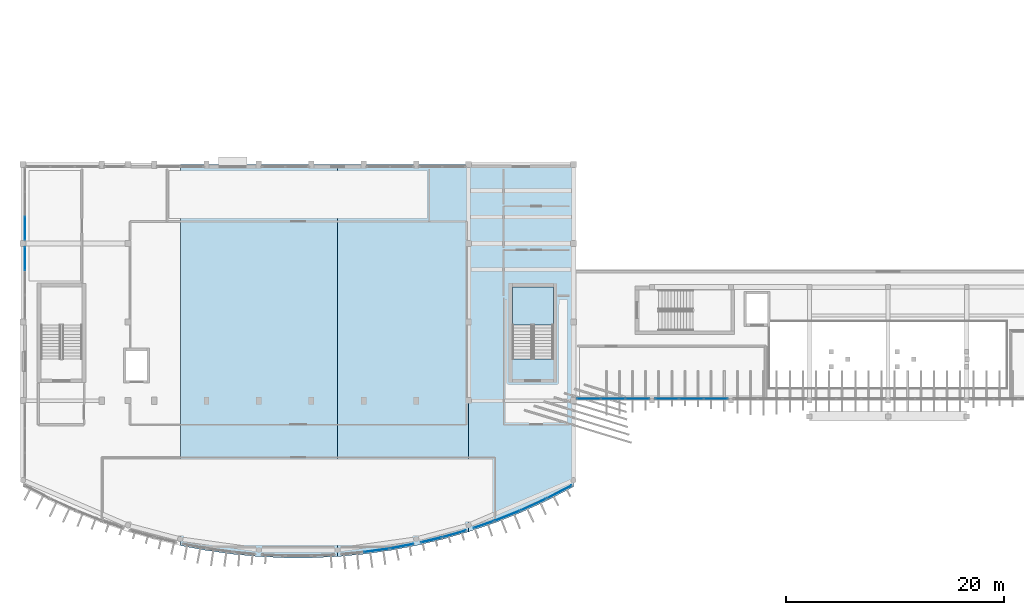
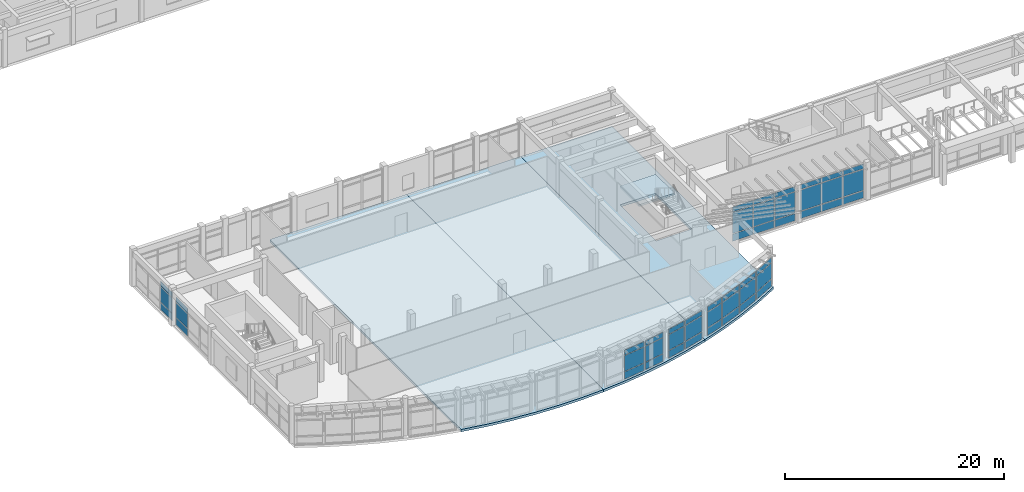
# One storey, part 29 of 60: 48 plates, 4 slabs, 13 elements without a shape of their own.
"""IFC4 building model written with IfcOpenShell, lengths in metres."""

from ifc_helpers import new_model, si_unit, direction, frame, origin, origin_2d, place, context, subcontext, project, spatial, polyline, rectangle, outline, extrude, material, layer, layer_set, type_object, element, aggregate, save


model = new_model("IFC4")

# Units and contexts
model_context = context("Model", 3, precision=1e-05, world=origin(), true_north=direction((0.0, 1.0)))
body_context = subcontext(model_context, "Body", "Model", "MODEL_VIEW")
ifc_project = project(units=[si_unit("LENGTHUNIT", "METRE"), si_unit("AREAUNIT", "SQUARE_METRE"), si_unit("VOLUMEUNIT", "CUBIC_METRE"), si_unit("PLANEANGLEUNIT", "RADIAN"), si_unit("MASSUNIT", "GRAM", prefix="KILO")], contexts=[model_context])

# Site, building, storey
site_placement = place(None, origin())
site = spatial("IfcSite", under=ifc_project, at=site_placement, CompositionType="ELEMENT")
building_placement = place(site_placement, origin())
building = spatial("IfcBuilding", under=site, at=building_placement, Name="Brisavento Harbour Community Centre", CompositionType="ELEMENT")
storey_placement = place(building_placement, frame((0.0, 0.0, 4.5)))
storey = spatial("IfcBuildingStorey", under=building, at=storey_placement, Name="L01", CompositionType="ELEMENT", Elevation=4.5)

# Curtain wall, plates
ifc_material_1 = material(Name="Marine-anodised aluminium AW-6063-T6", Category="aluminium")
ifc_layer_1 = layer(ifc_material_1, 0.179931640625, Name="Marine-anodised aluminium AW-6063-T6")
ifc_layer_set_1 = layer_set([ifc_layer_1], Name="Marine-anodised aluminium AW-6063-T6")
curtain_wall_type_1 = type_object("IfcCurtainWallType", Name="CW-SYS-08", PredefinedType="USERDEFINED", material=ifc_layer_set_1)
curtain_wall_1_placement = place(storey_placement, origin())
curtain_wall_1 = element("IfcCurtainWall", 1, at=curtain_wall_1_placement, inside=storey, type_object=curtain_wall_type_1, Name="L01 V1 unitised curtain wall 036", ObjectType="UNITISED CURTAIN WALL", PredefinedType="USERDEFINED")
ifc_material_2 = material(Name="Solar-control laminated low-E glass", Category="glass")
ifc_layer_2 = layer(ifc_material_2, 0.02392578125, Name="Solar-control laminated low-E glass")
ifc_layer_set_2 = layer_set([ifc_layer_2], Name="Solar-control laminated low-E glass")
plate_type_1 = type_object("IfcPlateType", Name="CWP-GLZ-1", PredefinedType="CURTAIN_PANEL", material=ifc_layer_set_2)
plate_1_placement = place(storey_placement, frame((39.4970703125, 2.206787109375, 0.080078125), z_axis=(0.0, 0.0, 1.0), x_axis=(-0.960866482785, -0.277011917183, 0.0)))
plate_1 = element("IfcPlate", 2, at=plate_1_placement, type_object=plate_type_1, Name="CW-08 panel 1.1", PredefinedType="CURTAIN_PANEL", context=body_context, shape_type="SweptSolid", body=[
    extrude(rectangle(XDim=2.19140625, YDim=0.02392578125, at=origin_2d()), origin(), (0.0, 0.0, 1.0), 0.780029296875),
])
plate_2_placement = place(storey_placement, frame((39.4970703125, 2.206787109375, 0.93994140625), z_axis=(0.0, 0.0, 1.0), x_axis=(-0.960866482785, -0.277011917183, 0.0)))
plate_2 = element("IfcPlate", 3, at=plate_2_placement, type_object=plate_type_1, Name="CW-08 panel 1.2", PredefinedType="CURTAIN_PANEL", context=body_context, shape_type="SweptSolid", body=[
    extrude(rectangle(XDim=2.19140625, YDim=0.02392578125, at=origin_2d()), origin(), (0.0, 0.0, 1.0), 1.719970703125),
])
plate_3_placement = place(storey_placement, frame((39.4970703125, 2.206787109375, 2.73974609375), z_axis=(0.0, 0.0, 1.0), x_axis=(-0.960866482785, -0.277011917183, 0.0)))
plate_3 = element("IfcPlate", 4, at=plate_3_placement, type_object=plate_type_1, Name="CW-08 panel 1.3", PredefinedType="CURTAIN_PANEL", context=body_context, shape_type="SweptSolid", body=[
    extrude(rectangle(XDim=2.19140625, YDim=0.02392578125, at=origin_2d()), origin(), (0.0, 0.0, 1.0), 0.530029296875),
])
aggregate(curtain_wall_1, [plate_1, plate_2, plate_3])

ifc_layer_3 = layer(ifc_material_1, 0.179931640625, Name="Marine-anodised aluminium AW-6063-T6")
ifc_layer_set_3 = layer_set([ifc_layer_3], Name="Marine-anodised aluminium AW-6063-T6")
curtain_wall_type_2 = type_object("IfcCurtainWallType", Name="CW-SYS-28", PredefinedType="USERDEFINED", material=ifc_layer_set_3)
curtain_wall_2_placement = place(storey_placement, origin())
curtain_wall_2 = element("IfcCurtainWall", 5, at=curtain_wall_2_placement, inside=storey, type_object=curtain_wall_type_2, Name="L01 V2 unitised curtain wall 056", ObjectType="UNITISED CURTAIN WALL", PredefinedType="USERDEFINED")
plate_4_placement = place(storey_placement, frame((63.43994140625, 14.580078125, 0.080078125), z_axis=(0.0, 0.0, 1.0), x_axis=(-1.0, 0.0, 0.0)))
plate_4 = element("IfcPlate", 6, at=plate_4_placement, type_object=plate_type_1, Name="CW-28 panel 1.1", PredefinedType="CURTAIN_PANEL", context=body_context, shape_type="SweptSolid", body=[
    extrude(rectangle(XDim=2.139892578125, YDim=0.02392578125, at=origin_2d()), origin(), (0.0, 0.0, 1.0), 0.780029296875),
])
plate_5_placement = place(storey_placement, frame((63.43994140625, 14.580078125, 0.93994140625), z_axis=(0.0, 0.0, 1.0), x_axis=(-1.0, 0.0, 0.0)))
plate_5 = element("IfcPlate", 7, at=plate_5_placement, type_object=plate_type_1, Name="CW-28 panel 1.2", PredefinedType="CURTAIN_PANEL", context=body_context, shape_type="SweptSolid", body=[
    extrude(rectangle(XDim=2.139892578125, YDim=0.02392578125, at=origin_2d()), origin(), (0.0, 0.0, 1.0), 2.320068359375),
])
plate_6_placement = place(storey_placement, frame((63.43994140625, 14.580078125, 3.33984375), z_axis=(0.0, 0.0, 1.0), x_axis=(-1.0, 0.0, 0.0)))
plate_6 = element("IfcPlate", 8, at=plate_6_placement, type_object=plate_type_1, Name="CW-28 panel 1.3", PredefinedType="CURTAIN_PANEL", context=body_context, shape_type="SweptSolid", body=[
    extrude(rectangle(XDim=2.139892578125, YDim=0.02392578125, at=origin_2d()), origin(), (0.0, 0.0, 1.0), 0.530029296875),
])
plate_7_placement = place(storey_placement, frame((61.199951171875, 14.580078125, 0.080078125), z_axis=(0.0, 0.0, 1.0), x_axis=(-1.0, 0.0, 0.0)))
plate_7 = element("IfcPlate", 9, at=plate_7_placement, type_object=plate_type_1, Name="CW-28 panel 2.1", PredefinedType="CURTAIN_PANEL", context=body_context, shape_type="SweptSolid", body=[
    extrude(rectangle(XDim=2.179931640625, YDim=0.02392578125, at=origin_2d()), origin(), (0.0, 0.0, 1.0), 0.780029296875),
])
plate_8_placement = place(storey_placement, frame((61.199951171875, 14.580078125, 0.93994140625), z_axis=(0.0, 0.0, 1.0), x_axis=(-1.0, 0.0, 0.0)))
plate_8 = element("IfcPlate", 10, at=plate_8_placement, type_object=plate_type_1, Name="CW-28 panel 2.2", PredefinedType="CURTAIN_PANEL", context=body_context, shape_type="SweptSolid", body=[
    extrude(rectangle(XDim=2.179931640625, YDim=0.02392578125, at=origin_2d()), origin(), (0.0, 0.0, 1.0), 2.320068359375),
])
plate_9_placement = place(storey_placement, frame((61.199951171875, 14.580078125, 3.33984375), z_axis=(0.0, 0.0, 1.0), x_axis=(-1.0, 0.0, 0.0)))
plate_9 = element("IfcPlate", 11, at=plate_9_placement, type_object=plate_type_1, Name="CW-28 panel 2.3", PredefinedType="CURTAIN_PANEL", context=body_context, shape_type="SweptSolid", body=[
    extrude(rectangle(XDim=2.179931640625, YDim=0.02392578125, at=origin_2d()), origin(), (0.0, 0.0, 1.0), 0.530029296875),
])
plate_10_placement = place(storey_placement, frame((58.9599609375, 14.580078125, 0.080078125), z_axis=(0.0, 0.0, 1.0), x_axis=(-1.0, 0.0, 0.0)))
plate_10 = element("IfcPlate", 12, at=plate_10_placement, type_object=plate_type_1, Name="CW-28 panel 3.1", PredefinedType="CURTAIN_PANEL", context=body_context, shape_type="SweptSolid", body=[
    extrude(rectangle(XDim=2.139892578125, YDim=0.02392578125, at=origin_2d()), origin(), (0.0, 0.0, 1.0), 0.780029296875),
])
plate_11_placement = place(storey_placement, frame((58.9599609375, 14.580078125, 0.93994140625), z_axis=(0.0, 0.0, 1.0), x_axis=(-1.0, 0.0, 0.0)))
plate_11 = element("IfcPlate", 13, at=plate_11_placement, type_object=plate_type_1, Name="CW-28 panel 3.2", PredefinedType="CURTAIN_PANEL", context=body_context, shape_type="SweptSolid", body=[
    extrude(rectangle(XDim=2.139892578125, YDim=0.02392578125, at=origin_2d()), origin(), (0.0, 0.0, 1.0), 2.320068359375),
])
plate_12_placement = place(storey_placement, frame((58.9599609375, 14.580078125, 3.33984375), z_axis=(0.0, 0.0, 1.0), x_axis=(-1.0, 0.0, 0.0)))
plate_12 = element("IfcPlate", 14, at=plate_12_placement, type_object=plate_type_1, Name="CW-28 panel 3.3", PredefinedType="CURTAIN_PANEL", context=body_context, shape_type="SweptSolid", body=[
    extrude(rectangle(XDim=2.139892578125, YDim=0.02392578125, at=origin_2d()), origin(), (0.0, 0.0, 1.0), 0.530029296875),
])
aggregate(curtain_wall_2, [plate_4, plate_5, plate_6, plate_7, plate_8, plate_9, plate_10, plate_11, plate_12])

ifc_layer_4 = layer(ifc_material_1, 0.179931640625, Name="Marine-anodised aluminium AW-6063-T6")
ifc_layer_set_4 = layer_set([ifc_layer_4], Name="Marine-anodised aluminium AW-6063-T6")
curtain_wall_type_3 = type_object("IfcCurtainWallType", Name="CW-SYS-09", PredefinedType="USERDEFINED", material=ifc_layer_set_4)
curtain_wall_3_placement = place(storey_placement, origin())
curtain_wall_3 = element("IfcCurtainWall", 15, at=curtain_wall_3_placement, inside=storey, type_object=curtain_wall_type_3, Name="L01 V1 unitised curtain wall 037", ObjectType="UNITISED CURTAIN WALL", PredefinedType="USERDEFINED")
ifc_layer_5 = layer(ifc_material_2, 0.028076171875, Name="Solar-control laminated low-E glass")
ifc_layer_set_5 = layer_set([ifc_layer_5], Name="Solar-control laminated low-E glass")
plate_type_2 = type_object("IfcPlateType", Name="CWP-GLZ-2", PredefinedType="CURTAIN_PANEL", material=ifc_layer_set_5)
plate_13_placement = place(storey_placement, frame((42.168212890625, 3.052490234375, 0.06494140625), z_axis=(0.0, 0.0, 1.0), x_axis=(-0.946338050136, -0.323178425743, 0.0)))
plate_13 = element("IfcPlate", 16, at=plate_13_placement, type_object=plate_type_2, Name="CW-09 panel 1.1", PredefinedType="CURTAIN_PANEL", context=body_context, shape_type="SweptSolid", body=[
    extrude(rectangle(XDim=1.891845703125, YDim=0.028076171875, at=origin_2d()), origin(), (0.0, 0.0, 1.0), 0.802490234375),
])
plate_14_placement = place(storey_placement, frame((42.168212890625, 3.052490234375, 0.9326171875), z_axis=(0.0, 0.0, 1.0), x_axis=(-0.946338050136, -0.323178425743, 0.0)))
plate_14 = element("IfcPlate", 17, at=plate_14_placement, type_object=plate_type_2, Name="CW-09 panel 1.2", PredefinedType="CURTAIN_PANEL", context=body_context, shape_type="SweptSolid", body=[
    extrude(rectangle(XDim=1.891845703125, YDim=0.028076171875, at=origin_2d()), origin(), (0.0, 0.0, 1.0), 1.735107421875),
])
plate_15_placement = place(storey_placement, frame((42.168212890625, 3.052490234375, 2.732421875), z_axis=(0.0, 0.0, 1.0), x_axis=(-0.946338050136, -0.323178425743, 0.0)))
plate_15 = element("IfcPlate", 18, at=plate_15_placement, type_object=plate_type_2, Name="CW-09 panel 1.3", PredefinedType="CURTAIN_PANEL", context=body_context, shape_type="SweptSolid", body=[
    extrude(rectangle(XDim=1.891845703125, YDim=0.028076171875, at=origin_2d()), origin(), (0.0, 0.0, 1.0), 0.552490234375),
])
aggregate(curtain_wall_3, [plate_13, plate_14, plate_15])

ifc_layer_6 = layer(ifc_material_1, 0.179931640625, Name="Marine-anodised aluminium AW-6063-T6")
ifc_layer_set_6 = layer_set([ifc_layer_6], Name="Marine-anodised aluminium AW-6063-T6")
curtain_wall_type_4 = type_object("IfcCurtainWallType", Name="CW-SYS-01", PredefinedType="USERDEFINED", material=ifc_layer_set_6)
curtain_wall_4_placement = place(storey_placement, origin())
curtain_wall_4 = element("IfcCurtainWall", 19, at=curtain_wall_4_placement, inside=storey, type_object=curtain_wall_type_4, Name="L01 V2 unitised curtain wall 057", ObjectType="UNITISED CURTAIN WALL", PredefinedType="USERDEFINED")
plate_16_placement = place(storey_placement, frame((56.252197265625, 14.580078125, 0.06494140625), z_axis=(0.0, 0.0, 1.0), x_axis=(-1.0, 0.0, 0.0)))
plate_16 = element("IfcPlate", 20, at=plate_16_placement, type_object=plate_type_2, Name="CW-01 panel 1.1", PredefinedType="CURTAIN_PANEL", context=body_context, shape_type="SweptSolid", body=[
    extrude(rectangle(XDim=2.145751953125, YDim=0.028076171875, at=origin_2d()), origin(), (0.0, 0.0, 1.0), 0.802490234375),
])
plate_17_placement = place(storey_placement, frame((56.252197265625, 14.580078125, 0.9326171875), z_axis=(0.0, 0.0, 1.0), x_axis=(-1.0, 0.0, 0.0)))
plate_17 = element("IfcPlate", 21, at=plate_17_placement, type_object=plate_type_2, Name="CW-01 panel 1.2", PredefinedType="CURTAIN_PANEL", context=body_context, shape_type="SweptSolid", body=[
    extrude(rectangle(XDim=2.145751953125, YDim=0.028076171875, at=origin_2d()), origin(), (0.0, 0.0, 1.0), 2.3349609375),
])
plate_18_placement = place(storey_placement, frame((56.252197265625, 14.580078125, 3.33251953125), z_axis=(0.0, 0.0, 1.0), x_axis=(-1.0, 0.0, 0.0)))
plate_18 = element("IfcPlate", 22, at=plate_18_placement, type_object=plate_type_2, Name="CW-01 panel 1.3", PredefinedType="CURTAIN_PANEL", context=body_context, shape_type="SweptSolid", body=[
    extrude(rectangle(XDim=2.145751953125, YDim=0.028076171875, at=origin_2d()), origin(), (0.0, 0.0, 1.0), 0.552490234375),
])
plate_19_placement = place(storey_placement, frame((54.02490234375, 14.580078125, 0.06494140625), z_axis=(0.0, 0.0, 1.0), x_axis=(-1.0, 0.0, 0.0)))
plate_19 = element("IfcPlate", 23, at=plate_19_placement, type_object=plate_type_2, Name="CW-01 panel 2.1", PredefinedType="CURTAIN_PANEL", context=body_context, shape_type="SweptSolid", body=[
    extrude(rectangle(XDim=2.17822265625, YDim=0.028076171875, at=origin_2d()), origin(), (0.0, 0.0, 1.0), 0.802490234375),
])
plate_20_placement = place(storey_placement, frame((54.02490234375, 14.580078125, 0.9326171875), z_axis=(0.0, 0.0, 1.0), x_axis=(-1.0, 0.0, 0.0)))
plate_20 = element("IfcPlate", 24, at=plate_20_placement, type_object=plate_type_2, Name="CW-01 panel 2.2", PredefinedType="CURTAIN_PANEL", context=body_context, shape_type="SweptSolid", body=[
    extrude(rectangle(XDim=2.17822265625, YDim=0.028076171875, at=origin_2d()), origin(), (0.0, 0.0, 1.0), 2.3349609375),
])
plate_21_placement = place(storey_placement, frame((54.02490234375, 14.580078125, 3.33251953125), z_axis=(0.0, 0.0, 1.0), x_axis=(-1.0, 0.0, 0.0)))
plate_21 = element("IfcPlate", 25, at=plate_21_placement, type_object=plate_type_2, Name="CW-01 panel 2.3", PredefinedType="CURTAIN_PANEL", context=body_context, shape_type="SweptSolid", body=[
    extrude(rectangle(XDim=2.17822265625, YDim=0.028076171875, at=origin_2d()), origin(), (0.0, 0.0, 1.0), 0.552490234375),
])
plate_22_placement = place(storey_placement, frame((51.7978515625, 14.580078125, 0.06494140625), z_axis=(0.0, 0.0, 1.0), x_axis=(-1.0, 0.0, 0.0)))
plate_22 = element("IfcPlate", 26, at=plate_22_placement, type_object=plate_type_2, Name="CW-01 panel 3.1", PredefinedType="CURTAIN_PANEL", context=body_context, shape_type="SweptSolid", body=[
    extrude(rectangle(XDim=2.145751953125, YDim=0.028076171875, at=origin_2d()), origin(), (0.0, 0.0, 1.0), 0.802490234375),
])
plate_23_placement = place(storey_placement, frame((51.7978515625, 14.580078125, 0.9326171875), z_axis=(0.0, 0.0, 1.0), x_axis=(-1.0, 0.0, 0.0)))
plate_23 = element("IfcPlate", 27, at=plate_23_placement, type_object=plate_type_2, Name="CW-01 panel 3.2", PredefinedType="CURTAIN_PANEL", context=body_context, shape_type="SweptSolid", body=[
    extrude(rectangle(XDim=2.145751953125, YDim=0.028076171875, at=origin_2d()), origin(), (0.0, 0.0, 1.0), 2.3349609375),
])
plate_24_placement = place(storey_placement, frame((51.7978515625, 14.580078125, 3.33251953125), z_axis=(0.0, 0.0, 1.0), x_axis=(-1.0, 0.0, 0.0)))
plate_24 = element("IfcPlate", 28, at=plate_24_placement, type_object=plate_type_2, Name="CW-01 panel 3.3", PredefinedType="CURTAIN_PANEL", context=body_context, shape_type="SweptSolid", body=[
    extrude(rectangle(XDim=2.145751953125, YDim=0.028076171875, at=origin_2d()), origin(), (0.0, 0.0, 1.0), 0.552490234375),
])
aggregate(curtain_wall_4, [plate_16, plate_17, plate_18, plate_19, plate_20, plate_21, plate_22, plate_23, plate_24])

ifc_layer_7 = layer(ifc_material_1, 0.179931640625, Name="Marine-anodised aluminium AW-6063-T6")
ifc_layer_set_7 = layer_set([ifc_layer_7], Name="Marine-anodised aluminium AW-6063-T6")
curtain_wall_type_5 = type_object("IfcCurtainWallType", Name="CW-SYS-05", PredefinedType="USERDEFINED", material=ifc_layer_set_7)
curtain_wall_5_placement = place(storey_placement, origin())
curtain_wall_5 = element("IfcCurtainWall", 29, at=curtain_wall_5_placement, inside=storey, type_object=curtain_wall_type_5, Name="L01 V1 unitised curtain wall 033", ObjectType="UNITISED CURTAIN WALL", PredefinedType="USERDEFINED")
ifc_layer_8 = layer(ifc_material_2, 0.031982421875, Name="Solar-control laminated low-E glass")
ifc_layer_set_8 = layer_set([ifc_layer_8], Name="Solar-control laminated low-E glass")
plate_type_3 = type_object("IfcPlateType", Name="CWP-GLZ-3", PredefinedType="CURTAIN_PANEL", material=ifc_layer_set_8)
plate_25_placement = place(storey_placement, frame((32.375, 0.693359375, 0.06494140625), z_axis=(0.0, 0.0, 1.0), x_axis=(-0.990365657711, -0.138476944024, 0.0)))
plate_25 = element("IfcPlate", 30, at=plate_25_placement, type_object=plate_type_3, Name="CW-05 panel 1.1", PredefinedType="CURTAIN_PANEL", context=body_context, shape_type="SweptSolid", body=[
    extrude(rectangle(XDim=2.25732421875, YDim=0.031982421875, at=origin_2d()), origin(), (0.0, 0.0, 1.0), 0.802490234375),
])
plate_26_placement = place(storey_placement, frame((32.375, 0.693359375, 0.9326171875), z_axis=(0.0, 0.0, 1.0), x_axis=(-0.990365657711, -0.138476944024, 0.0)))
plate_26 = element("IfcPlate", 31, at=plate_26_placement, type_object=plate_type_3, Name="CW-05 panel 1.2", PredefinedType="CURTAIN_PANEL", context=body_context, shape_type="SweptSolid", body=[
    extrude(rectangle(XDim=2.25732421875, YDim=0.031982421875, at=origin_2d()), origin(), (0.0, 0.0, 1.0), 1.735107421875),
])
plate_27_placement = place(storey_placement, frame((32.375, 0.693359375, 2.732421875), z_axis=(0.0, 0.0, 1.0), x_axis=(-0.990365657711, -0.138476944024, 0.0)))
plate_27 = element("IfcPlate", 32, at=plate_27_placement, type_object=plate_type_3, Name="CW-05 panel 1.3", PredefinedType="CURTAIN_PANEL", context=body_context, shape_type="SweptSolid", body=[
    extrude(rectangle(XDim=2.25732421875, YDim=0.031982421875, at=origin_2d()), origin(), (0.0, 0.0, 1.0), 0.552490234375),
])
aggregate(curtain_wall_5, [plate_25, plate_26, plate_27])

ifc_layer_9 = layer(ifc_material_1, 0.179931640625, Name="Marine-anodised aluminium AW-6063-T6")
ifc_layer_set_9 = layer_set([ifc_layer_9], Name="Marine-anodised aluminium AW-6063-T6")
curtain_wall_type_6 = type_object("IfcCurtainWallType", Name="CW-SYS-10", PredefinedType="USERDEFINED", material=ifc_layer_set_9)
curtain_wall_6_placement = place(storey_placement, origin())
curtain_wall_6 = element("IfcCurtainWall", 33, at=curtain_wall_6_placement, inside=storey, type_object=curtain_wall_type_6, Name="L01 V1 unitised curtain wall 038", ObjectType="UNITISED CURTAIN WALL", PredefinedType="USERDEFINED")
plate_28_placement = place(storey_placement, frame((44.33349609375, 3.85888671875, 0.070068359375), z_axis=(0.0, 0.0, 1.0), x_axis=(-0.929278798027, -0.369379094613, 0.0)))
plate_28 = element("IfcPlate", 34, at=plate_28_placement, type_object=plate_type_3, Name="CW-10 panel 1.1", PredefinedType="CURTAIN_PANEL", context=body_context, shape_type="SweptSolid", body=[
    extrude(rectangle(XDim=2.40673828125, YDim=0.031982421875, at=origin_2d()), origin(), (0.0, 0.0, 1.0), 0.794921875),
])
plate_29_placement = place(storey_placement, frame((44.33349609375, 3.85888671875, 0.93505859375), z_axis=(0.0, 0.0, 1.0), x_axis=(-0.929278798027, -0.369379094613, 0.0)))
plate_29 = element("IfcPlate", 35, at=plate_29_placement, type_object=plate_type_3, Name="CW-10 panel 1.2", PredefinedType="CURTAIN_PANEL", context=body_context, shape_type="SweptSolid", body=[
    extrude(rectangle(XDim=2.40673828125, YDim=0.031982421875, at=origin_2d()), origin(), (0.0, 0.0, 1.0), 1.72998046875),
])
plate_30_placement = place(storey_placement, frame((44.33349609375, 3.85888671875, 2.735107421875), z_axis=(0.0, 0.0, 1.0), x_axis=(-0.929278798027, -0.369379094613, 0.0)))
plate_30 = element("IfcPlate", 36, at=plate_30_placement, type_object=plate_type_3, Name="CW-10 panel 1.3", PredefinedType="CURTAIN_PANEL", context=body_context, shape_type="SweptSolid", body=[
    extrude(rectangle(XDim=2.40673828125, YDim=0.031982421875, at=origin_2d()), origin(), (0.0, 0.0, 1.0), 0.544921875),
])
aggregate(curtain_wall_6, [plate_28, plate_29, plate_30])

ifc_layer_10 = layer(ifc_material_1, 0.179931640625, Name="Marine-anodised aluminium AW-6063-T6")
ifc_layer_set_10 = layer_set([ifc_layer_10], Name="Marine-anodised aluminium AW-6063-T6")
curtain_wall_type_7 = type_object("IfcCurtainWallType", Name="CW-SYS-20", PredefinedType="USERDEFINED", material=ifc_layer_set_10)
curtain_wall_7_placement = place(storey_placement, origin())
curtain_wall_7 = element("IfcCurtainWall", 37, at=curtain_wall_7_placement, inside=storey, type_object=curtain_wall_type_7, Name="L01 V1 unitised curtain wall 048", ObjectType="UNITISED CURTAIN WALL", PredefinedType="USERDEFINED")
plate_31_placement = place(storey_placement, frame((0.179931640625, 27.40673828125, 0.080078125), z_axis=(0.0, 0.0, 1.0), x_axis=(0.0, 1.0, 0.0)))
plate_31 = element("IfcPlate", 38, at=plate_31_placement, type_object=plate_type_3, Name="CW-20 panel 3.1", PredefinedType="CURTAIN_PANEL", context=body_context, shape_type="SweptSolid", body=[
    extrude(rectangle(XDim=2.106689453125, YDim=0.031982421875, at=origin_2d()), origin(), (0.0, 0.0, 1.0), 0.780029296875),
])
plate_32_placement = place(storey_placement, frame((0.179931640625, 27.40673828125, 0.93994140625), z_axis=(0.0, 0.0, 1.0), x_axis=(0.0, 1.0, 0.0)))
plate_32 = element("IfcPlate", 39, at=plate_32_placement, type_object=plate_type_3, Name="CW-20 panel 3.2", PredefinedType="CURTAIN_PANEL", context=body_context, shape_type="SweptSolid", body=[
    extrude(rectangle(XDim=2.106689453125, YDim=0.031982421875, at=origin_2d()), origin(), (0.0, 0.0, 1.0), 1.6201171875),
])
plate_33_placement = place(storey_placement, frame((0.179931640625, 27.40673828125, 2.64013671875), z_axis=(0.0, 0.0, 1.0), x_axis=(0.0, 1.0, 0.0)))
plate_33 = element("IfcPlate", 40, at=plate_33_placement, type_object=plate_type_3, Name="CW-20 panel 3.3", PredefinedType="CURTAIN_PANEL", context=body_context, shape_type="SweptSolid", body=[
    extrude(rectangle(XDim=2.106689453125, YDim=0.031982421875, at=origin_2d()), origin(), (0.0, 0.0, 1.0), 0.530029296875),
])
aggregate(curtain_wall_7, [plate_31, plate_32, plate_33])

ifc_layer_11 = layer(ifc_material_1, 0.179931640625, Name="Marine-anodised aluminium AW-6063-T6")
ifc_layer_set_11 = layer_set([ifc_layer_11], Name="Marine-anodised aluminium AW-6063-T6")
curtain_wall_type_8 = type_object("IfcCurtainWallType", Name="CW-SYS-06", PredefinedType="USERDEFINED", material=ifc_layer_set_11)
curtain_wall_8_placement = place(storey_placement, origin())
curtain_wall_8 = element("IfcCurtainWall", 41, at=curtain_wall_8_placement, inside=storey, type_object=curtain_wall_type_8, Name="L01 V1 unitised curtain wall 034", ObjectType="UNITISED CURTAIN WALL", PredefinedType="USERDEFINED")
ifc_layer_12 = layer(ifc_material_2, 0.035888671875, Name="Solar-control laminated low-E glass")
ifc_layer_set_12 = layer_set([ifc_layer_12], Name="Solar-control laminated low-E glass")
plate_type_4 = type_object("IfcPlateType", Name="CWP-GLZ-4", PredefinedType="CURTAIN_PANEL", material=ifc_layer_set_12)
plate_34_placement = place(storey_placement, frame((34.694091796875, 1.07177734375, 0.070068359375), z_axis=(0.0, 0.0, 1.0), x_axis=(-0.982796895513, -0.184689637418, 0.0)))
plate_34 = element("IfcPlate", 42, at=plate_34_placement, type_object=plate_type_4, Name="CW-06 panel 1.1", PredefinedType="CURTAIN_PANEL", context=body_context, shape_type="SweptSolid", body=[
    extrude(rectangle(XDim=2.117919921875, YDim=0.035888671875, at=origin_2d()), origin(), (0.0, 0.0, 1.0), 0.794921875),
])
plate_35_placement = place(storey_placement, frame((34.694091796875, 1.07177734375, 0.93505859375), z_axis=(0.0, 0.0, 1.0), x_axis=(-0.982796895513, -0.184689637418, 0.0)))
plate_35 = element("IfcPlate", 43, at=plate_35_placement, type_object=plate_type_4, Name="CW-06 panel 1.2", PredefinedType="CURTAIN_PANEL", context=body_context, shape_type="SweptSolid", body=[
    extrude(rectangle(XDim=2.117919921875, YDim=0.035888671875, at=origin_2d()), origin(), (0.0, 0.0, 1.0), 1.72998046875),
])
plate_36_placement = place(storey_placement, frame((34.694091796875, 1.07177734375, 2.735107421875), z_axis=(0.0, 0.0, 1.0), x_axis=(-0.982796895513, -0.184689637418, 0.0)))
plate_36 = element("IfcPlate", 44, at=plate_36_placement, type_object=plate_type_4, Name="CW-06 panel 1.3", PredefinedType="CURTAIN_PANEL", context=body_context, shape_type="SweptSolid", body=[
    extrude(rectangle(XDim=2.117919921875, YDim=0.035888671875, at=origin_2d()), origin(), (0.0, 0.0, 1.0), 0.544921875),
])
aggregate(curtain_wall_8, [plate_34, plate_35, plate_36])

ifc_layer_13 = layer(ifc_material_1, 0.179931640625, Name="Marine-anodised aluminium AW-6063-T6")
ifc_layer_set_13 = layer_set([ifc_layer_13], Name="Marine-anodised aluminium AW-6063-T6")
curtain_wall_type_9 = type_object("IfcCurtainWallType", Name="CW-SYS-11", PredefinedType="USERDEFINED", material=ifc_layer_set_13)
curtain_wall_9_placement = place(storey_placement, origin())
curtain_wall_9 = element("IfcCurtainWall", 45, at=curtain_wall_9_placement, inside=storey, type_object=curtain_wall_type_9, Name="L01 V1 unitised curtain wall 039", ObjectType="UNITISED CURTAIN WALL", PredefinedType="USERDEFINED")
plate_37_placement = place(storey_placement, frame((46.72509765625, 4.880615234375, 0.074951171875), z_axis=(0.0, 0.0, 1.0), x_axis=(-0.909597727846, -0.415490040189, 0.0)))
plate_37 = element("IfcPlate", 46, at=plate_37_placement, type_object=plate_type_4, Name="CW-11 panel 1.1", PredefinedType="CURTAIN_PANEL", context=body_context, shape_type="SweptSolid", body=[
    extrude(rectangle(XDim=2.452392578125, YDim=0.035888671875, at=origin_2d()), origin(), (0.0, 0.0, 1.0), 0.78759765625),
])
plate_38_placement = place(storey_placement, frame((46.72509765625, 4.880615234375, 0.9375), z_axis=(0.0, 0.0, 1.0), x_axis=(-0.909597727846, -0.415490040189, 0.0)))
plate_38 = element("IfcPlate", 47, at=plate_38_placement, type_object=plate_type_4, Name="CW-11 panel 1.2", PredefinedType="CURTAIN_PANEL", context=body_context, shape_type="SweptSolid", body=[
    extrude(rectangle(XDim=2.452392578125, YDim=0.035888671875, at=origin_2d()), origin(), (0.0, 0.0, 1.0), 1.72509765625),
])
plate_39_placement = place(storey_placement, frame((46.72509765625, 4.880615234375, 2.737548828125), z_axis=(0.0, 0.0, 1.0), x_axis=(-0.909597727846, -0.415490040189, 0.0)))
plate_39 = element("IfcPlate", 48, at=plate_39_placement, type_object=plate_type_4, Name="CW-11 panel 1.3", PredefinedType="CURTAIN_PANEL", context=body_context, shape_type="SweptSolid", body=[
    extrude(rectangle(XDim=2.452392578125, YDim=0.035888671875, at=origin_2d()), origin(), (0.0, 0.0, 1.0), 0.53759765625),
])
aggregate(curtain_wall_9, [plate_37, plate_38, plate_39])

ifc_layer_14 = layer(ifc_material_1, 0.179931640625, Name="Marine-anodised aluminium AW-6063-T6")
ifc_layer_set_14 = layer_set([ifc_layer_14], Name="Marine-anodised aluminium AW-6063-T6")
curtain_wall_type_10 = type_object("IfcCurtainWallType", Name="CW-SYS-21", PredefinedType="USERDEFINED", material=ifc_layer_set_14)
curtain_wall_10_placement = place(storey_placement, origin())
curtain_wall_10 = element("IfcCurtainWall", 49, at=curtain_wall_10_placement, inside=storey, type_object=curtain_wall_type_10, Name="L01 V1 unitised curtain wall 049", ObjectType="UNITISED CURTAIN WALL", PredefinedType="USERDEFINED")
plate_40_placement = place(storey_placement, frame((0.179931640625, 30.189697265625, 0.06494140625), z_axis=(0.0, 0.0, 1.0), x_axis=(0.0, 1.0, 0.0)))
plate_40 = element("IfcPlate", 50, at=plate_40_placement, type_object=plate_type_4, Name="CW-21 panel 1.1", PredefinedType="CURTAIN_PANEL", context=body_context, shape_type="SweptSolid", body=[
    extrude(rectangle(XDim=2.129150390625, YDim=0.035888671875, at=origin_2d()), origin(), (0.0, 0.0, 1.0), 0.802490234375),
])
plate_41_placement = place(storey_placement, frame((0.179931640625, 30.189697265625, 0.932373046875), z_axis=(0.0, 0.0, 1.0), x_axis=(0.0, 1.0, 0.0)))
plate_41 = element("IfcPlate", 51, at=plate_41_placement, type_object=plate_type_4, Name="CW-21 panel 1.2", PredefinedType="CURTAIN_PANEL", context=body_context, shape_type="SweptSolid", body=[
    extrude(rectangle(XDim=2.129150390625, YDim=0.035888671875, at=origin_2d()), origin(), (0.0, 0.0, 1.0), 1.68505859375),
])
plate_42_placement = place(storey_placement, frame((0.179931640625, 30.189697265625, 2.6826171875), z_axis=(0.0, 0.0, 1.0), x_axis=(0.0, 1.0, 0.0)))
plate_42 = element("IfcPlate", 52, at=plate_42_placement, type_object=plate_type_4, Name="CW-21 panel 1.3", PredefinedType="CURTAIN_PANEL", context=body_context, shape_type="SweptSolid", body=[
    extrude(rectangle(XDim=2.129150390625, YDim=0.035888671875, at=origin_2d()), origin(), (0.0, 0.0, 1.0), 0.552490234375),
])
aggregate(curtain_wall_10, [plate_40, plate_41, plate_42])

ifc_layer_15 = layer(ifc_material_1, 0.179931640625, Name="Marine-anodised aluminium AW-6063-T6")
ifc_layer_set_15 = layer_set([ifc_layer_15], Name="Marine-anodised aluminium AW-6063-T6")
curtain_wall_type_11 = type_object("IfcCurtainWallType", Name="CW-SYS-07", PredefinedType="USERDEFINED", material=ifc_layer_set_15)
curtain_wall_11_placement = place(storey_placement, origin())
curtain_wall_11 = element("IfcCurtainWall", 53, at=curtain_wall_11_placement, inside=storey, type_object=curtain_wall_type_11, Name="L01 V1 unitised curtain wall 035", ObjectType="UNITISED CURTAIN WALL", PredefinedType="USERDEFINED")
ifc_layer_16 = layer(ifc_material_2, 0.0400390625, Name="Solar-control laminated low-E glass")
ifc_layer_set_16 = layer_set([ifc_layer_16], Name="Solar-control laminated low-E glass")
plate_type_5 = type_object("IfcPlateType", Name="CWP-GLZ-5", PredefinedType="CURTAIN_PANEL", material=ifc_layer_set_16)
plate_43_placement = place(storey_placement, frame((37.356201171875, 1.640625, 0.074951171875), z_axis=(0.0, 0.0, 1.0), x_axis=(-0.972998297489, -0.230812289714, 0.0)))
plate_43 = element("IfcPlate", 54, at=plate_43_placement, type_object=plate_type_5, Name="CW-07 panel 1.1", PredefinedType="CURTAIN_PANEL", context=body_context, shape_type="SweptSolid", body=[
    extrude(rectangle(XDim=1.874267578125, YDim=0.0400390625, at=origin_2d()), origin(), (0.0, 0.0, 1.0), 0.78759765625),
])
plate_44_placement = place(storey_placement, frame((37.356201171875, 1.640625, 0.9375), z_axis=(0.0, 0.0, 1.0), x_axis=(-0.972998297489, -0.230812289714, 0.0)))
plate_44 = element("IfcPlate", 55, at=plate_44_placement, type_object=plate_type_5, Name="CW-07 panel 1.2", PredefinedType="CURTAIN_PANEL", context=body_context, shape_type="SweptSolid", body=[
    extrude(rectangle(XDim=1.874267578125, YDim=0.0400390625, at=origin_2d()), origin(), (0.0, 0.0, 1.0), 1.72509765625),
])
plate_45_placement = place(storey_placement, frame((37.356201171875, 1.640625, 2.737548828125), z_axis=(0.0, 0.0, 1.0), x_axis=(-0.972998297489, -0.230812289714, 0.0)))
plate_45 = element("IfcPlate", 56, at=plate_45_placement, type_object=plate_type_5, Name="CW-07 panel 1.3", PredefinedType="CURTAIN_PANEL", context=body_context, shape_type="SweptSolid", body=[
    extrude(rectangle(XDim=1.874267578125, YDim=0.0400390625, at=origin_2d()), origin(), (0.0, 0.0, 1.0), 0.53759765625),
])
aggregate(curtain_wall_11, [plate_43, plate_44, plate_45])

ifc_layer_17 = layer(ifc_material_1, 0.179931640625, Name="Marine-anodised aluminium AW-6063-T6")
ifc_layer_set_17 = layer_set([ifc_layer_17], Name="Marine-anodised aluminium AW-6063-T6")
curtain_wall_type_12 = type_object("IfcCurtainWallType", Name="CW-SYS-12", PredefinedType="USERDEFINED", material=ifc_layer_set_17)
curtain_wall_12_placement = place(storey_placement, origin())
curtain_wall_12 = element("IfcCurtainWall", 57, at=curtain_wall_12_placement, inside=storey, type_object=curtain_wall_type_12, Name="L01 V1 unitised curtain wall 040", ObjectType="UNITISED CURTAIN WALL", PredefinedType="USERDEFINED")
plate_46_placement = place(storey_placement, frame((49.104736328125, 6.04296875, 0.080078125), z_axis=(0.0, 0.0, 1.0), x_axis=(-0.887019684969, -0.461731608705, 0.0)))
plate_46 = element("IfcPlate", 58, at=plate_46_placement, type_object=plate_type_5, Name="CW-12 panel 1.1", PredefinedType="CURTAIN_PANEL", context=body_context, shape_type="SweptSolid", body=[
    extrude(rectangle(XDim=2.482421875, YDim=0.0400390625, at=origin_2d()), origin(), (0.0, 0.0, 1.0), 0.780029296875),
])
plate_47_placement = place(storey_placement, frame((49.104736328125, 6.04296875, 0.93994140625), z_axis=(0.0, 0.0, 1.0), x_axis=(-0.887019684969, -0.461731608705, 0.0)))
plate_47 = element("IfcPlate", 59, at=plate_47_placement, type_object=plate_type_5, Name="CW-12 panel 1.2", PredefinedType="CURTAIN_PANEL", context=body_context, shape_type="SweptSolid", body=[
    extrude(rectangle(XDim=2.482421875, YDim=0.0400390625, at=origin_2d()), origin(), (0.0, 0.0, 1.0), 1.719970703125),
])
plate_48_placement = place(storey_placement, frame((49.104736328125, 6.04296875, 2.73974609375), z_axis=(0.0, 0.0, 1.0), x_axis=(-0.887019684969, -0.461731608705, 0.0)))
plate_48 = element("IfcPlate", 60, at=plate_48_placement, type_object=plate_type_5, Name="CW-12 panel 1.3", PredefinedType="CURTAIN_PANEL", context=body_context, shape_type="SweptSolid", body=[
    extrude(rectangle(XDim=2.482421875, YDim=0.0400390625, at=origin_2d()), origin(), (0.0, 0.0, 1.0), 0.530029296875),
])
aggregate(curtain_wall_12, [plate_46, plate_47, plate_48])

# Slabs
ifc_material_3 = material(Name="Concrete C35/45", Category="concrete")
ifc_layer_18 = layer(ifc_material_3, 0.260009765625, Name="Concrete C35/45")
ifc_layer_set_18 = layer_set([ifc_layer_18], Name="Concrete C35/45")
slab_type_1 = type_object("IfcSlabType", Name="SLB-FLR-260", PredefinedType="FLOOR", material=ifc_layer_set_18)
slab_1_placement = place(storey_placement, frame((0.0, 0.0, -0.260009765625)))
element("IfcSlab", 61, at=slab_1_placement, inside=storey, type_object=slab_type_1, Name="L01 V1 structural floor slab 019", PredefinedType="FLOOR", context=body_context, shape_type="SweptSolid", body=[
    extrude(outline(polyline([(14.39990234375, 36.0), (14.39990234375, 1.1337890625), (16.800048828125, 0.682861328125), (19.199951171875, 0.347412109375), (21.60009765625, 0.124755859375), (24.0, 0.013916015625), (26.39990234375, 0.013916015625), (28.800048828125, 0.124755859375), (28.800048828125, 36.0), (14.39990234375, 36.0)])), origin(), (0.0, 0.0, 1.0), 0.260009765625),
])
slab_2_placement = place(storey_placement, frame((0.0, 0.0, -0.260009765625)))
element("IfcSlab", 62, at=slab_2_placement, inside=storey, type_object=slab_type_1, Name="L01 V1 structural floor slab 020", PredefinedType="FLOOR", context=body_context, shape_type="SweptSolid", body=[
    extrude(outline(polyline([(28.800048828125, 36.0), (28.800048828125, 0.124755859375), (31.199951171875, 0.347412109375), (33.60009765625, 0.682861328125), (36.0, 1.1337890625), (38.39990234375, 1.703369140625), (40.800048828125, 2.395263671875), (40.800048828125, 36.0), (28.800048828125, 36.0)])), origin(), (0.0, 0.0, 1.0), 0.260009765625),
])
slab_3_placement = place(storey_placement, frame((0.0, 0.0, -0.260009765625)))
element("IfcSlab", 63, at=slab_3_placement, inside=storey, type_object=slab_type_1, Name="L01 V1 structural floor slab 021", PredefinedType="FLOOR", context=body_context, shape_type="SweptSolid", body=[
    extrude(outline(polyline([(40.800048828125, 36.0), (40.800048828125, 2.395263671875), (43.199951171875, 3.21484375), (45.60009765625, 4.168701171875), (48.0, 5.264892578125), (50.39990234375, 6.51416015625), (50.39990234375, 36.0), (40.800048828125, 36.0)]), holes=[polyline([(44.80810546875, 24.7919921875), (48.5419921875, 24.7919921875), (48.5419921875, 18.2080078125), (44.80810546875, 18.2080078125), (44.80810546875, 24.7919921875)])]), origin(), (0.0, 0.0, 1.0), 0.260009765625),
])

# Stair, slab
stair_type = type_object("IfcStairType", Name="STR-DL-4200", PredefinedType="HALF_TURN_STAIR", material=ifc_material_3)
stair_placement = place(storey_placement, origin())
stair = element("IfcStair", 64, at=stair_placement, inside=storey, type_object=stair_type, Name="L01 ST-02", PredefinedType="HALF_TURN_STAIR")
ifc_layer_19 = layer(ifc_material_3, 0.199951171875, Name="Concrete C35/45")
ifc_layer_set_19 = layer_set([ifc_layer_19], Name="Concrete C35/45")
slab_type_2 = type_object("IfcSlabType", Name="SLB-LND-200", PredefinedType="LANDING", material=ifc_layer_set_19)
slab_4_placement = place(storey_placement, frame((0.0, 0.0, 1.89990234375)))
slab_4 = element("IfcSlab", 65, at=slab_4_placement, type_object=slab_type_2, Name="ST-02 landing 1", PredefinedType="LANDING", context=body_context, shape_type="SweptSolid", body=[
    extrude(outline(polyline([(48.550048828125, 21.3349609375), (48.550048828125, 24.800048828125), (44.800048828125, 24.800048828125), (44.800048828125, 21.3349609375), (48.550048828125, 21.3349609375)])), origin(), (0.0, 0.0, 1.0), 0.2001953125),
])
aggregate(stair, [slab_4])

save(model, "model.ifc")
